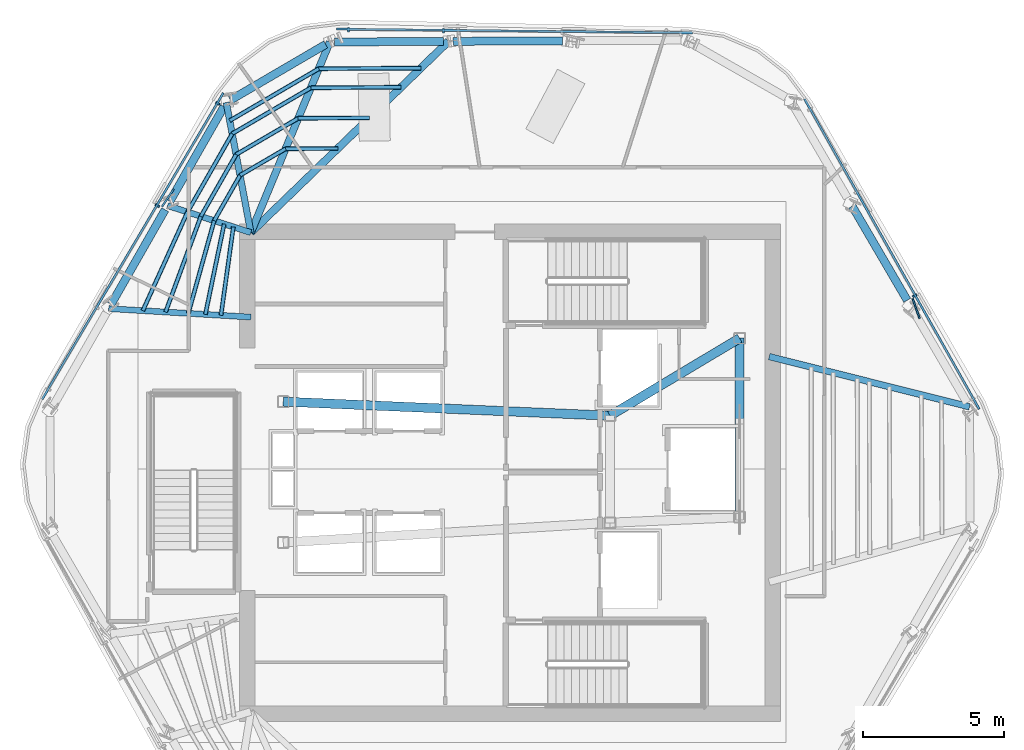
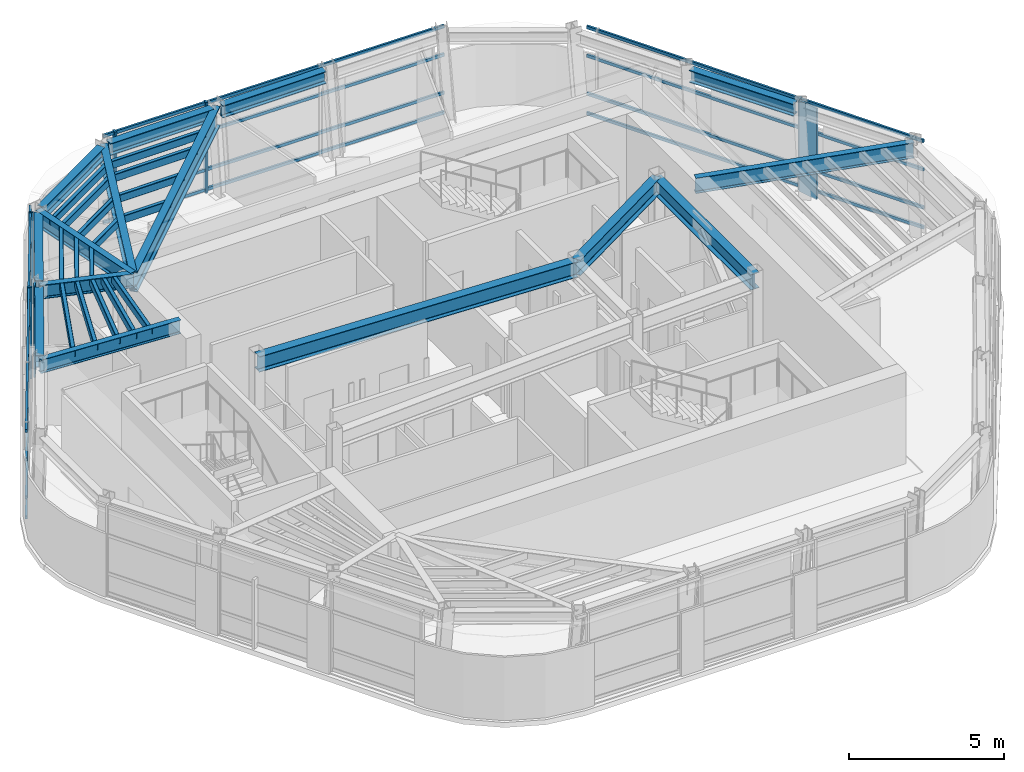
# One storey, part 4 of 13: 35 members, 15 beams, 3 elements without a shape of their own.
"""IFC4 building model written with IfcOpenShell, lengths in metres."""

from ifc_helpers import new_model, si_unit, direction, frame, origin, origin_2d, place, context, subcontext, project, spatial, rectangle, hollow_rectangle, i_section, extrude, material, layer, layer_set, material_profile, profile_set, type_object, element, aggregate, save


model = new_model("IFC4")

# Units and contexts
model_context = context("Model", 3, precision=1e-05, world=origin(), true_north=direction((0.0, 1.0)))
body_context = subcontext(model_context, "Body", "Model", "MODEL_VIEW")
ifc_project = project(units=[si_unit("LENGTHUNIT", "METRE"), si_unit("AREAUNIT", "SQUARE_METRE"), si_unit("VOLUMEUNIT", "CUBIC_METRE"), si_unit("PLANEANGLEUNIT", "RADIAN"), si_unit("MASSUNIT", "GRAM", prefix="KILO")], contexts=[model_context])

# Site, building, storey
site_placement = place(None, origin())
site = spatial("IfcSite", under=ifc_project, at=site_placement, CompositionType="ELEMENT")
building_placement = place(site_placement, origin())
building = spatial("IfcBuilding", under=site, at=building_placement, Name="Valkerne Bourse Tower", CompositionType="ELEMENT")
storey_placement = place(building_placement, frame((0.0, 0.0, 281.199951171875)))
storey = spatial("IfcBuildingStorey", under=building, at=storey_placement, Name="L71", CompositionType="ELEMENT", Elevation=281.199951171875)

# Beams
ifc_material_1 = material(Name="Steel ASTM A992", Category="steel")
ifc_material_profile_1 = material_profile(ifc_material_1, i_section(OverallWidth=0.284423828125, OverallDepth=0.47509765625, WebThickness=0.014892578125, FlangeThickness=0.02392578125, FilletRadius=0.017822265625, at=origin_2d()), Name="W18X106")
ifc_profile_set_1 = profile_set([ifc_material_profile_1], Name="Steel ASTM A992")
beam_type_1 = type_object("IfcBeamType", Name="BM-W18X106", PredefinedType="BEAM", material=ifc_profile_set_1)
beam_1_placement = place(storey_placement, frame((48.656494140625, 42.208740234375, 3.362548828125), z_axis=(-0.999986306612, -0.005233219637, 0.0), x_axis=(0.005233219637, -0.999986306612, 0.0)))
element("IfcBeam", 1, at=beam_1_placement, inside=storey, type_object=beam_type_1, Name="L71 Hexagonal Spandrel Ring Beam 01", PredefinedType="BEAM", context=body_context, shape_type="SweptSolid", body=[
    extrude(i_section(OverallWidth=0.284423828125, OverallDepth=0.47509765625, WebThickness=0.014892578125, FlangeThickness=0.02392578125, FilletRadius=0.017822265625, at=origin_2d()), origin(), (0.0, 0.0, 1.0), 3.8720703125),
])
beam_2_placement = place(storey_placement, frame((44.4443359375, 42.1865234375, 3.362548828125), z_axis=(-0.999986632894, -0.005170496494, 0.0), x_axis=(0.005170496494, -0.999986632894, 0.0)))
element("IfcBeam", 2, at=beam_2_placement, inside=storey, type_object=beam_type_1, Name="L71 Hexagonal Spandrel Ring Beam 02", PredefinedType="BEAM", context=body_context, shape_type="SweptSolid", body=[
    extrude(i_section(OverallWidth=0.284423828125, OverallDepth=0.47509765625, WebThickness=0.014892578125, FlangeThickness=0.02392578125, FilletRadius=0.017822265625, at=origin_2d()), origin(), (0.0, 0.0, 1.0), 3.871826171875),
])
beam_3_placement = place(storey_placement, frame((40.255615234375, 42.07958984375, 3.362548828125), z_axis=(-0.863410040535, -0.504502826458, 0.0), x_axis=(0.504502826458, -0.863410040535, 0.0)))
element("IfcBeam", 3, at=beam_3_placement, inside=storey, type_object=beam_type_1, Name="L71 Hexagonal Spandrel Ring Beam 03", PredefinedType="BEAM", context=body_context, shape_type="SweptSolid", body=[
    extrude(i_section(OverallWidth=0.284423828125, OverallDepth=0.47509765625, WebThickness=0.014892578125, FlangeThickness=0.02392578125, FilletRadius=0.017822265625, at=origin_2d()), origin(), (0.0, 0.0, 1.0), 3.91552734375),
])
for number, where, z_axis, x_axis, name in (
    (4, (36.64404296875, 39.87060546875, 3.362548828125), (-0.495473337127, -0.868623147399, 0.0), (0.868623147399, -0.495473337127, 0.0), "L71 Hexagonal Spandrel Ring Beam 04"),
    (5, (34.55712890625, 36.2119140625, 3.362548828125), (-0.495473337127, -0.868623147399, 0.0), (0.868623147399, -0.495473337127, 0.0), "L71 Hexagonal Spandrel Ring Beam 05"),
    (6, (60.8994140625, 32.99658203125, 3.362548828125), (-0.50454909697, 0.86338300235, 0.0), (-0.86338300235, -0.50454909697, 0.0), "L71 Hexagonal Spandrel Ring Beam 21"),
):
    element("IfcBeam", number, at=place(storey_placement, frame(where, z_axis=z_axis, x_axis=x_axis)), inside=storey, type_object=beam_type_1, Name=name, PredefinedType="BEAM", context=body_context, shape_type="SweptSolid", body=[
        extrude(i_section(OverallWidth=0.284423828125, OverallDepth=0.47509765625, WebThickness=0.014892578125, FlangeThickness=0.02392578125, FilletRadius=0.017822265625, at=origin_2d()), origin(), (0.0, 0.0, 1.0), 3.8720703125),
    ])
ifc_material_profile_2 = material_profile(ifc_material_1, i_section(OverallWidth=0.209228515625, OverallDepth=0.533447265625, WebThickness=0.01025390625, FlangeThickness=0.015625, FilletRadius=0.017822265625, at=origin_2d()), Name="W21X62")
ifc_profile_set_2 = profile_set([ifc_material_profile_2], Name="Steel ASTM A992")
beam_type_2 = type_object("IfcBeamType", Name="BM-W21X62", PredefinedType="JOIST", material=ifc_profile_set_2)
beam_4_placement = place(storey_placement, frame((32.554443359375, 32.700927734375, 3.333251953125), z_axis=(0.998225059457, -0.059554434524, 0.0), x_axis=(0.059554434524, 0.998225059457, 0.0)))
element("IfcBeam", 7, at=beam_4_placement, inside=storey, type_object=beam_type_2, Name="L71 Radial Composite Floor Beam 06", PredefinedType="JOIST", context=body_context, shape_type="SweptSolid", body=[
    extrude(i_section(OverallWidth=0.209228515625, OverallDepth=0.533447265625, WebThickness=0.01025390625, FlangeThickness=0.015625, FilletRadius=0.017822265625, at=origin_2d()), origin(), (0.0, 0.0, 1.0), 5.0546875),
])
ifc_material_profile_3 = material_profile(ifc_material_1, i_section(OverallWidth=0.2138671875, OverallDepth=0.548583984375, WebThickness=0.0146484375, FlangeThickness=0.023681640625, FilletRadius=0.017822265625, at=origin_2d()), Name="W21X93")
ifc_profile_set_3 = profile_set([ifc_material_profile_3], Name="Steel ASTM A992")
beam_type_3 = type_object("IfcBeamType", Name="BM-W21X93", PredefinedType="BEAM", material=ifc_profile_set_3)
beam_5_placement = place(storey_placement, frame((34.641357421875, 36.359619140625, 3.32568359375), z_axis=(0.951210990395, -0.30854116703, 0.0), x_axis=(0.30854116703, 0.951210990395, 0.0)))
element("IfcBeam", 8, at=beam_5_placement, inside=storey, type_object=beam_type_3, Name="L71 Radial Composite Floor Beam 05", PredefinedType="BEAM", context=body_context, shape_type="SweptSolid", body=[
    extrude(i_section(OverallWidth=0.2138671875, OverallDepth=0.548583984375, WebThickness=0.0146484375, FlangeThickness=0.023681640625, FilletRadius=0.017822265625, at=origin_2d()), origin(), (0.0, 0.0, 1.0), 3.110595703125),
])
ifc_material_profile_4 = material_profile(ifc_material_1, i_section(OverallWidth=0.3251953125, OverallDepth=0.612060546875, WebThickness=0.0126953125, FlangeThickness=0.01904296875, FilletRadius=0.020263671875, at=origin_2d()), Name="W24X104")
ifc_profile_set_4 = profile_set([ifc_material_profile_4], Name="Steel ASTM A992")
beam_type_4 = type_object("IfcBeamType", Name="BM-W24X104", PredefinedType="BEAM", material=ifc_profile_set_4)
beam_6_placement = place(storey_placement, frame((50.35009765625, 28.89990234375, 3.2939453125), z_axis=(0.858307823492, 0.513135148019, 0.0), x_axis=(-0.513135148019, 0.858307823492, 0.0)))
element("IfcBeam", 9, at=beam_6_placement, inside=storey, type_object=beam_type_4, Name="L71 Core Frame Girder CG-NE", PredefinedType="BEAM", context=body_context, shape_type="SweptSolid", body=[
    extrude(i_section(OverallWidth=0.3251953125, OverallDepth=0.612060546875, WebThickness=0.0126953125, FlangeThickness=0.01904296875, FilletRadius=0.020263671875, at=origin_2d()), origin(), (0.0, 0.0, 1.0), 5.359130859375),
])
beam_7_placement = place(storey_placement, frame((54.949951171875, 25.300048828125, 3.2939453125), z_axis=(0.0, 1.0, 0.0), x_axis=(-1.0, 0.0, 0.0)))
element("IfcBeam", 10, at=beam_7_placement, inside=storey, type_object=beam_type_4, Name="L71 Core Frame Girder CG-EE", PredefinedType="BEAM", context=body_context, shape_type="SweptSolid", body=[
    extrude(i_section(OverallWidth=0.3251953125, OverallDepth=0.612060546875, WebThickness=0.0126953125, FlangeThickness=0.01904296875, FilletRadius=0.020263671875, at=origin_2d()), origin(), (0.0, 0.0, 1.0), 6.349853515625),
])
beam_8_placement = place(storey_placement, frame((38.75, 29.39990234375, 3.2939453125), z_axis=(0.999072354402, -0.043063101019, 0.0), x_axis=(0.043063101019, 0.999072354402, 0.0)))
element("IfcBeam", 11, at=beam_8_placement, inside=storey, type_object=beam_type_4, Name="L71 Core Frame Girder CG-NW", PredefinedType="BEAM", context=body_context, shape_type="SweptSolid", body=[
    extrude(i_section(OverallWidth=0.3251953125, OverallDepth=0.612060546875, WebThickness=0.0126953125, FlangeThickness=0.01904296875, FilletRadius=0.020263671875, at=origin_2d()), origin(), (0.0, 0.0, 1.0), 11.61083984375),
])
ifc_material_profile_5 = material_profile(ifc_material_1, i_section(OverallWidth=0.228271484375, OverallDepth=0.607177734375, WebThickness=0.01123046875, FlangeThickness=0.017333984375, FilletRadius=0.017822265625, at=origin_2d()), Name="W24X76")
ifc_profile_set_5 = profile_set([ifc_material_profile_5], Name="Steel ASTM A992")
beam_type_5 = type_object("IfcBeamType", Name="BM-W24X76", PredefinedType="JOIST", material=ifc_profile_set_5)
beam_9_placement = place(storey_placement, frame((36.728271484375, 40.018310546875, 3.296630859375), z_axis=(0.185495874023, -0.982645043096, 0.0), x_axis=(0.982645043096, 0.185495874023, 0.0)))
element("IfcBeam", 12, at=beam_9_placement, inside=storey, type_object=beam_type_5, Name="L71 Radial Composite Floor Beam 04", PredefinedType="JOIST", context=body_context, shape_type="SweptSolid", body=[
    extrude(i_section(OverallWidth=0.228271484375, OverallDepth=0.607177734375, WebThickness=0.01123046875, FlangeThickness=0.017333984375, FilletRadius=0.017822265625, at=origin_2d()), origin(), (0.0, 0.0, 1.0), 4.699951171875),
])
beam_10_placement = place(storey_placement, frame((63.110107421875, 29.21337890625, 3.296630859375), z_axis=(-0.969849916651, 0.243702973253, 0.0), x_axis=(-0.243702973253, -0.969849916651, 0.0)))
element("IfcBeam", 13, at=beam_10_placement, inside=storey, type_object=beam_type_5, Name="L71 Radial Composite Floor Beam 20", PredefinedType="JOIST", context=body_context, shape_type="SweptSolid", body=[
    extrude(i_section(OverallWidth=0.228271484375, OverallDepth=0.607177734375, WebThickness=0.01123046875, FlangeThickness=0.017333984375, FilletRadius=0.017822265625, at=origin_2d()), origin(), (0.0, 0.0, 1.0), 7.3310546875),
])
ifc_material_profile_6 = material_profile(ifc_material_1, i_section(OverallWidth=0.255859375, OverallDepth=0.693359375, WebThickness=0.014404296875, FlangeThickness=0.023681640625, FilletRadius=0.02294921875, at=origin_2d()), Name="W27X114")
ifc_profile_set_6 = profile_set([ifc_material_profile_6], Name="Steel ASTM A992")
beam_type_6 = type_object("IfcBeamType", Name="BM-W27X114", PredefinedType="BEAM", material=ifc_profile_set_6)
beam_11_placement = place(storey_placement, frame((40.402587890625, 42.16552734375, 3.25341796875), z_axis=(-0.382692360741, -0.923875834206, 0.0), x_axis=(0.923875834206, -0.382692360741, 0.0)))
element("IfcBeam", 14, at=beam_11_placement, inside=storey, type_object=beam_type_6, Name="L71 Radial Composite Floor Beam 03", PredefinedType="BEAM", context=body_context, shape_type="SweptSolid", body=[
    extrude(i_section(OverallWidth=0.255859375, OverallDepth=0.693359375, WebThickness=0.014404296875, FlangeThickness=0.023681640625, FilletRadius=0.02294921875, at=origin_2d()), origin(), (0.0, 0.0, 1.0), 7.322998046875),
])
ifc_material_profile_7 = material_profile(ifc_material_1, i_section(OverallWidth=0.26806640625, OverallDepth=0.76953125, WebThickness=0.015625, FlangeThickness=0.025390625, FilletRadius=0.025390625, at=origin_2d()), Name="W30X132")
ifc_profile_set_7 = profile_set([ifc_material_profile_7], Name="Steel ASTM A992")
beam_type_7 = type_object("IfcBeamType", Name="BM-W30X132", PredefinedType="BEAM", material=ifc_profile_set_7)
beam_12_placement = place(storey_placement, frame((44.614501953125, 42.1875, 3.21533203125), z_axis=(-0.718629559357, -0.695393094888, 0.0), x_axis=(0.695393094888, -0.718629559357, 0.0)))
element("IfcBeam", 15, at=beam_12_placement, inside=storey, type_object=beam_type_7, Name="L71 Radial Composite Floor Beam 02", PredefinedType="BEAM", context=body_context, shape_type="SweptSolid", body=[
    extrude(i_section(OverallWidth=0.26806640625, OverallDepth=0.76953125, WebThickness=0.015625, FlangeThickness=0.025390625, FilletRadius=0.025390625, at=origin_2d()), origin(), (0.0, 0.0, 1.0), 9.7607421875),
])

# Curtain wall, members
ifc_material_2 = material(Name="Aluminium AA 6063-T6", Category="aluminium")
ifc_layer = layer(ifc_material_2, 0.2451171875)
ifc_layer_set = layer_set([ifc_layer], Name="Aluminium AA 6063-T6")
curtain_wall_type = type_object("IfcCurtainWallType", Name="CW-05", PredefinedType="NOTDEFINED", material=ifc_layer_set)
curtain_wall_1_placement = place(storey_placement, origin())
curtain_wall_1 = element("IfcCurtainWall", 16, at=curtain_wall_1_placement, inside=storey, type_object=curtain_wall_type, Name="L71 Hexagonal Stick Curtain Wall Face 1", PredefinedType="NOTDEFINED")
ifc_material_profile_8 = material_profile(ifc_material_2, rectangle(XDim=0.074951171875, YDim=0.159912109375, at=origin_2d()), Name="CWM-75X160")
ifc_profile_set_8 = profile_set([ifc_material_profile_8], Name="Aluminium AA 6063-T6")
member_type_1 = type_object("IfcMemberType", Name="CW-MUL-160X75", PredefinedType="MULLION", material=ifc_profile_set_8)
member_1_placement = place(storey_placement, frame((44.43701171875, 42.564453125, 0.0), z_axis=(0.0, 0.0, 1.0), x_axis=(-0.999945187956, 0.010470008742, 0.0)))
member_1 = element("IfcMember", 17, at=member_1_placement, type_object=member_type_1, Name="CW-L71-F1 Jamb Mullion 02A", PredefinedType="MULLION", context=body_context, shape_type="SweptSolid", body=[
    extrude(rectangle(XDim=0.074951171875, YDim=0.159912109375, at=origin_2d()), origin(), (0.0, 0.0, 1.0), 3.60009765625),
])
member_2_placement = place(storey_placement, frame((41.06494140625, 42.599609375, 0.0), z_axis=(0.0, 0.0, 1.0), x_axis=(-0.999945187956, 0.010470008742, 0.0)))
member_2 = element("IfcMember", 18, at=member_2_placement, type_object=member_type_1, Name="CW-L71-F1 Jamb Mullion 02B", PredefinedType="MULLION", context=body_context, shape_type="SweptSolid", body=[
    extrude(rectangle(XDim=0.074951171875, YDim=0.159912109375, at=origin_2d()), origin(), (0.0, 0.0, 1.0), 3.60009765625),
])

curtain_wall_2_placement = place(storey_placement, origin())
curtain_wall_2 = element("IfcCurtainWall", 19, at=curtain_wall_2_placement, inside=storey, type_object=curtain_wall_type, Name="L71 Hexagonal Stick Curtain Wall Face 2", PredefinedType="NOTDEFINED")
member_3_placement = place(storey_placement, frame((36.427490234375, 39.986572265625, 0.0), z_axis=(0.0, 0.0, 1.0), x_axis=(-0.509038826061, -0.860743558537, 0.0)))
member_3 = element("IfcMember", 20, at=member_3_placement, type_object=member_type_1, Name="CW-L71-F2 Jamb Mullion 00A", PredefinedType="MULLION", context=body_context, shape_type="SweptSolid", body=[
    extrude(rectangle(XDim=0.074951171875, YDim=0.159912109375, at=origin_2d()), origin(), (0.0, 0.0, 1.0), 3.60009765625),
])
member_4_placement = place(storey_placement, frame((34.283447265625, 36.361083984375, 0.0), z_axis=(0.0, 0.0, 1.0), x_axis=(-0.509031638635, -0.860747809099, 0.0)))
member_4 = element("IfcMember", 21, at=member_4_placement, type_object=member_type_1, Name="CW-L71-F2 Jamb Mullion 01A", PredefinedType="MULLION", context=body_context, shape_type="SweptSolid", body=[
    extrude(rectangle(XDim=0.074951171875, YDim=0.159912109375, at=origin_2d()), origin(), (0.0, 0.0, 1.0), 3.60009765625),
])

# Curtain wall, member
curtain_wall_3_placement = place(storey_placement, origin())
curtain_wall_3 = element("IfcCurtainWall", 22, at=curtain_wall_3_placement, inside=storey, type_object=curtain_wall_type, Name="L71 Hexagonal Stick Curtain Wall Face 6", PredefinedType="NOTDEFINED")
member_5_placement = place(storey_placement, frame((61.165283203125, 33.1591796875, 0.0), z_axis=(0.0, 0.0, 1.0), x_axis=(-0.490901350772, 0.871215165049, 0.0)))
member_5 = element("IfcMember", 23, at=member_5_placement, type_object=member_type_1, Name="CW-L71-F6 Jamb Mullion 01A", PredefinedType="MULLION", context=body_context, shape_type="SweptSolid", body=[
    extrude(rectangle(XDim=0.074951171875, YDim=0.159912109375, at=origin_2d()), origin(), (0.0, 0.0, 1.0), 3.60009765625),
])

# Member
ifc_material_profile_9 = material_profile(ifc_material_2, rectangle(XDim=0.074951171875, YDim=0.1201171875, at=origin_2d()), Name="CWT-75X120")
ifc_profile_set_9 = profile_set([ifc_material_profile_9], Name="Aluminium AA 6063-T6")
member_type_2 = type_object("IfcMemberType", Name="CW-TRN-120X75", PredefinedType="USERDEFINED", material=ifc_profile_set_9)
member_6_placement = place(storey_placement, frame((53.280517578125, 42.49169921875, 0.1201171875), z_axis=(-0.999945166621, 0.010472046225, 0.0), x_axis=(-0.010472046225, -0.999945166621, 0.0)))
member_6 = element("IfcMember", 24, at=member_6_placement, type_object=member_type_2, Name="CW-L71-F1 Continuous Face Transom 1", ObjectType="TRANSOM", PredefinedType="USERDEFINED", context=body_context, shape_type="SweptSolid", body=[
    extrude(rectangle(XDim=0.074951171875, YDim=0.1201171875, at=origin_2d()), origin(), (0.0, 0.0, 1.0), 12.635986328125),
])

member_7_placement = place(storey_placement, frame((53.280517578125, 42.49169921875, 0.900146484375), z_axis=(-0.999945166621, 0.010472046225, 0.0), x_axis=(-0.010472046225, -0.999945166621, 0.0)))
member_7 = element("IfcMember", 25, at=member_7_placement, type_object=member_type_2, Name="CW-L71-F1 Continuous Face Transom 2", ObjectType="TRANSOM", PredefinedType="USERDEFINED", context=body_context, shape_type="SweptSolid", body=[
    extrude(rectangle(XDim=0.074951171875, YDim=0.1201171875, at=origin_2d()), origin(), (0.0, 0.0, 1.0), 12.635986328125),
])

member_8_placement = place(storey_placement, frame((53.280517578125, 42.49169921875, 2.400146484375), z_axis=(-0.999945166621, 0.010472046225, 0.0), x_axis=(-0.010472046225, -0.999945166621, 0.0)))
member_8 = element("IfcMember", 26, at=member_8_placement, type_object=member_type_2, Name="CW-L71-F1 Continuous Face Transom 3", ObjectType="TRANSOM", PredefinedType="USERDEFINED", context=body_context, shape_type="SweptSolid", body=[
    extrude(rectangle(XDim=0.074951171875, YDim=0.1201171875, at=origin_2d()), origin(), (0.0, 0.0, 1.0), 12.635986328125),
])

member_9_placement = place(storey_placement, frame((53.280517578125, 42.49169921875, 3.52001953125), z_axis=(-0.999945166621, 0.010472046225, 0.0), x_axis=(-0.010472046225, -0.999945166621, 0.0)))
member_9 = element("IfcMember", 27, at=member_9_placement, type_object=member_type_2, Name="CW-L71-F1 Continuous Face Transom 4", ObjectType="TRANSOM", PredefinedType="USERDEFINED", context=body_context, shape_type="SweptSolid", body=[
    extrude(rectangle(XDim=0.074951171875, YDim=0.1201171875, at=origin_2d()), origin(), (0.0, 0.0, 1.0), 12.635986328125),
])

aggregate(curtain_wall_1, [member_6, member_7, member_8, member_9, member_1, member_2])

member_10_placement = place(storey_placement, frame((36.6240234375, 40.3583984375, 0.1201171875), z_axis=(-0.50903001346, -0.860748770198, 0.0), x_axis=(0.860748770198, -0.50903001346, 0.0)))
member_10 = element("IfcMember", 28, at=member_10_placement, type_object=member_type_2, Name="CW-L71-F2 Continuous Face Transom 1", ObjectType="TRANSOM", PredefinedType="USERDEFINED", context=body_context, shape_type="SweptSolid", body=[
    extrude(rectangle(XDim=0.074951171875, YDim=0.1201171875, at=origin_2d()), origin(), (0.0, 0.0, 1.0), 12.635986328125),
])

member_11_placement = place(storey_placement, frame((36.6240234375, 40.3583984375, 0.900146484375), z_axis=(-0.50903001346, -0.860748770198, 0.0), x_axis=(0.860748770198, -0.50903001346, 0.0)))
member_11 = element("IfcMember", 29, at=member_11_placement, type_object=member_type_2, Name="CW-L71-F2 Continuous Face Transom 2", ObjectType="TRANSOM", PredefinedType="USERDEFINED", context=body_context, shape_type="SweptSolid", body=[
    extrude(rectangle(XDim=0.074951171875, YDim=0.1201171875, at=origin_2d()), origin(), (0.0, 0.0, 1.0), 12.635986328125),
])

member_12_placement = place(storey_placement, frame((36.6240234375, 40.3583984375, 2.400146484375), z_axis=(-0.50903001346, -0.860748770198, 0.0), x_axis=(0.860748770198, -0.50903001346, 0.0)))
member_12 = element("IfcMember", 30, at=member_12_placement, type_object=member_type_2, Name="CW-L71-F2 Continuous Face Transom 3", ObjectType="TRANSOM", PredefinedType="USERDEFINED", context=body_context, shape_type="SweptSolid", body=[
    extrude(rectangle(XDim=0.074951171875, YDim=0.1201171875, at=origin_2d()), origin(), (0.0, 0.0, 1.0), 12.635986328125),
])

member_13_placement = place(storey_placement, frame((36.6240234375, 40.3583984375, 3.52001953125), z_axis=(-0.50903001346, -0.860748770198, 0.0), x_axis=(0.860748770198, -0.50903001346, 0.0)))
member_13 = element("IfcMember", 31, at=member_13_placement, type_object=member_type_2, Name="CW-L71-F2 Continuous Face Transom 4", ObjectType="TRANSOM", PredefinedType="USERDEFINED", context=body_context, shape_type="SweptSolid", body=[
    extrude(rectangle(XDim=0.074951171875, YDim=0.1201171875, at=origin_2d()), origin(), (0.0, 0.0, 1.0), 12.635986328125),
])

aggregate(curtain_wall_2, [member_10, member_11, member_12, member_13, member_3, member_4])

member_14_placement = place(storey_placement, frame((63.45654296875, 29.133544921875, 0.1201171875), z_axis=(-0.490911485908, 0.871209454152, 0.0), x_axis=(-0.871209454152, -0.490911485908, 0.0)))
member_14 = element("IfcMember", 32, at=member_14_placement, type_object=member_type_2, Name="CW-L71-F6 Continuous Face Transom 1", ObjectType="TRANSOM", PredefinedType="USERDEFINED", context=body_context, shape_type="SweptSolid", body=[
    extrude(rectangle(XDim=0.074951171875, YDim=0.1201171875, at=origin_2d()), origin(), (0.0, 0.0, 1.0), 12.635986328125),
])

member_15_placement = place(storey_placement, frame((63.45654296875, 29.133544921875, 0.900146484375), z_axis=(-0.490911485908, 0.871209454152, 0.0), x_axis=(-0.871209454152, -0.490911485908, 0.0)))
member_15 = element("IfcMember", 33, at=member_15_placement, type_object=member_type_2, Name="CW-L71-F6 Continuous Face Transom 2", ObjectType="TRANSOM", PredefinedType="USERDEFINED", context=body_context, shape_type="SweptSolid", body=[
    extrude(rectangle(XDim=0.074951171875, YDim=0.1201171875, at=origin_2d()), origin(), (0.0, 0.0, 1.0), 12.635986328125),
])

member_16_placement = place(storey_placement, frame((63.45654296875, 29.133544921875, 2.400146484375), z_axis=(-0.490911485908, 0.871209454152, 0.0), x_axis=(-0.871209454152, -0.490911485908, 0.0)))
member_16 = element("IfcMember", 34, at=member_16_placement, type_object=member_type_2, Name="CW-L71-F6 Continuous Face Transom 3", ObjectType="TRANSOM", PredefinedType="USERDEFINED", context=body_context, shape_type="SweptSolid", body=[
    extrude(rectangle(XDim=0.074951171875, YDim=0.1201171875, at=origin_2d()), origin(), (0.0, 0.0, 1.0), 12.635986328125),
])

member_17_placement = place(storey_placement, frame((63.45654296875, 29.133544921875, 3.52001953125), z_axis=(-0.490911485908, 0.871209454152, 0.0), x_axis=(-0.871209454152, -0.490911485908, 0.0)))
member_17 = element("IfcMember", 35, at=member_17_placement, type_object=member_type_2, Name="CW-L71-F6 Continuous Face Transom 4", ObjectType="TRANSOM", PredefinedType="USERDEFINED", context=body_context, shape_type="SweptSolid", body=[
    extrude(rectangle(XDim=0.074951171875, YDim=0.1201171875, at=origin_2d()), origin(), (0.0, 0.0, 1.0), 12.635986328125),
])

aggregate(curtain_wall_3, [member_14, member_15, member_16, member_17, member_5])

# Members
ifc_material_3 = material(Name="Bronze Anodised Aluminium AA 6063-T6", Category="aluminium")
ifc_material_profile_10 = material_profile(ifc_material_3, rectangle(XDim=0.06494140625, YDim=0.75, at=origin_2d()), Name="FIN-65X750")
ifc_profile_set_10 = profile_set([ifc_material_profile_10], Name="Bronze Anodised Aluminium AA 6063-T6")
member_type_3 = type_object("IfcMemberType", Name="FIN-SOLAR-650", PredefinedType="USERDEFINED", material=ifc_profile_set_10)
for number, where, z_axis, x_axis, name in (
    (36, (34.652099609375, 36.630859375, 0.004150390625), (0.0, 0.0, 1.0), (-0.828941864883, 0.559334769744, 0.0), "L71 Bronze Anodised Solar Fin F2-01"),
    (37, (61.214599609375, 32.704833984375, 0.004150390625), (0.0, 0.0, 1.0), (0.943534711377, 0.331273676024, 0.0), "L71 Bronze Anodised Solar Fin F6-01"),
):
    element("IfcMember", number, at=place(storey_placement, frame(where, z_axis=z_axis, x_axis=x_axis)), inside=storey, type_object=member_type_3, Name=name, ObjectType="SOLAR_FIN", PredefinedType="USERDEFINED", context=body_context, shape_type="SweptSolid", body=[
        extrude(rectangle(XDim=0.06494140625, YDim=0.75, at=origin_2d()), origin(), (0.0, 0.0, 1.0), 3.591796875),
    ])
ifc_material_4 = material(Name="Steel ASTM A500 Grade C", Category="steel")
ifc_material_profile_11 = material_profile(ifc_material_4, hollow_rectangle(XDim=0.14990234375, YDim=0.300048828125, WallThickness=0.012451171875, OuterFilletRadius=0.02490234375, at=origin_2d()), Name="HSS300X150X12.5")
ifc_profile_set_11 = profile_set([ifc_material_profile_11], Name="Steel ASTM A500 Grade C")
member_type_4 = type_object("IfcMemberType", Name="MBR-HSS300X150X12.5", PredefinedType="PURLIN", material=ifc_profile_set_11)
member_18_placement = place(storey_placement, frame((36.6533203125, 35.70703125, 3.43994140625), z_axis=(-0.203683714491, -0.979036743157, 0.0), x_axis=(0.979036743157, -0.203683714491, 0.0)))
element("IfcMember", 38, at=member_18_placement, inside=storey, type_object=member_type_4, Name="L71 Secondary Composite Floor Purlin I-05", PredefinedType="PURLIN", context=body_context, shape_type="SweptSolid", body=[
    extrude(hollow_rectangle(XDim=0.14990234375, YDim=0.300048828125, WallThickness=0.012451171875, OuterFilletRadius=0.02490234375, at=origin_2d()), origin(), (0.0, 0.0, 1.0), 3.279541015625),
])
member_19_placement = place(storey_placement, frame((40.686279296875, 38.386474609375, 3.43994140625), z_axis=(-0.999986117012, -0.005269324816, 0.0), x_axis=(0.005269324816, -0.999986117012, 0.0)))
element("IfcMember", 39, at=member_19_placement, inside=storey, type_object=member_type_4, Name="L71 Secondary Composite Floor Purlin K-02", PredefinedType="PURLIN", context=body_context, shape_type="SweptSolid", body=[
    extrude(hollow_rectangle(XDim=0.14990234375, YDim=0.300048828125, WallThickness=0.012451171875, OuterFilletRadius=0.02490234375, at=origin_2d()), origin(), (0.0, 0.0, 1.0), 1.853271484375),
])
member_20_placement = place(storey_placement, frame((38.8330078125, 38.376708984375, 3.43994140625), z_axis=(-0.863428739524, -0.5044708235, 0.0), x_axis=(0.5044708235, -0.863428739524, 0.0)))
element("IfcMember", 40, at=member_20_placement, inside=storey, type_object=member_type_4, Name="L71 Secondary Composite Floor Purlin K-03", PredefinedType="PURLIN", context=body_context, shape_type="SweptSolid", body=[
    extrude(hollow_rectangle(XDim=0.14990234375, YDim=0.300048828125, WallThickness=0.012451171875, OuterFilletRadius=0.02490234375, at=origin_2d()), origin(), (0.0, 0.0, 1.0), 1.872314453125),
])
member_21_placement = place(storey_placement, frame((37.21630859375, 37.43212890625, 3.43994140625), z_axis=(-0.49544364029, -0.868640086167, 0.0), x_axis=(0.868640086167, -0.49544364029, 0.0)))
element("IfcMember", 41, at=member_21_placement, inside=storey, type_object=member_type_4, Name="L71 Secondary Composite Floor Purlin K-04", PredefinedType="PURLIN", context=body_context, shape_type="SweptSolid", body=[
    extrude(hollow_rectangle(XDim=0.14990234375, YDim=0.300048828125, WallThickness=0.012451171875, OuterFilletRadius=0.02490234375, at=origin_2d()), origin(), (0.0, 0.0, 1.0), 1.853271484375),
])
member_22_placement = place(storey_placement, frame((36.298095703125, 35.822265625, 3.43994140625), z_axis=(-0.268834438397, -0.963186401862, 0.0), x_axis=(0.963186401862, -0.268834438397, 0.0)))
element("IfcMember", 42, at=member_22_placement, inside=storey, type_object=member_type_4, Name="L71 Secondary Composite Floor Purlin K-05", PredefinedType="PURLIN", context=body_context, shape_type="SweptSolid", body=[
    extrude(hollow_rectangle(XDim=0.14990234375, YDim=0.300048828125, WallThickness=0.012451171875, OuterFilletRadius=0.02490234375, at=origin_2d()), origin(), (0.0, 0.0, 1.0), 3.41552734375),
])
member_23_placement = place(storey_placement, frame((42.930908203125, 40.55859375, 3.43994140625), z_axis=(-0.999986151985, -0.005262683585, 0.0), x_axis=(0.005262683585, -0.999986151985, 0.0)))
element("IfcMember", 43, at=member_23_placement, inside=storey, type_object=member_type_4, Name="L71 Secondary Composite Floor Purlin O-02", PredefinedType="PURLIN", context=body_context, shape_type="SweptSolid", body=[
    extrude(hollow_rectangle(XDim=0.14990234375, YDim=0.300048828125, WallThickness=0.012451171875, OuterFilletRadius=0.02490234375, at=origin_2d()), origin(), (0.0, 0.0, 1.0), 3.200927734375),
])
member_24_placement = place(storey_placement, frame((39.72998046875, 40.541748046875, 3.43994140625), z_axis=(-0.86338987989, -0.504537327958, 0.0), x_axis=(0.504537327958, -0.86338987989, 0.0)))
element("IfcMember", 44, at=member_24_placement, inside=storey, type_object=member_type_4, Name="L71 Secondary Composite Floor Purlin O-03", PredefinedType="PURLIN", context=body_context, shape_type="SweptSolid", body=[
    extrude(hollow_rectangle(XDim=0.14990234375, YDim=0.300048828125, WallThickness=0.012451171875, OuterFilletRadius=0.02490234375, at=origin_2d()), origin(), (0.0, 0.0, 1.0), 3.234375),
])
member_25_placement = place(storey_placement, frame((36.9375, 38.909912109375, 3.43994140625), z_axis=(-0.495506377718, -0.868604299805, 0.0), x_axis=(0.868604299805, -0.495506377718, 0.0)))
element("IfcMember", 45, at=member_25_placement, inside=storey, type_object=member_type_4, Name="L71 Secondary Composite Floor Purlin O-04", PredefinedType="PURLIN", context=body_context, shape_type="SweptSolid", body=[
    extrude(hollow_rectangle(XDim=0.14990234375, YDim=0.300048828125, WallThickness=0.012451171875, OuterFilletRadius=0.02490234375, at=origin_2d()), origin(), (0.0, 0.0, 1.0), 3.201171875),
])
member_26_placement = place(storey_placement, frame((35.351318359375, 36.12939453125, 3.43994140625), z_axis=(-0.412682610969, -0.910874888557, 0.0), x_axis=(0.910874888557, -0.412682610969, 0.0)))
element("IfcMember", 46, at=member_26_placement, inside=storey, type_object=member_type_4, Name="L71 Secondary Composite Floor Purlin O-05", PredefinedType="PURLIN", context=body_context, shape_type="SweptSolid", body=[
    extrude(hollow_rectangle(XDim=0.14990234375, YDim=0.300048828125, WallThickness=0.012451171875, OuterFilletRadius=0.02490234375, at=origin_2d()), origin(), (0.0, 0.0, 1.0), 3.843017578125),
])
member_27_placement = place(storey_placement, frame((41.80859375, 39.472412109375, 3.43994140625), z_axis=(-0.999986392321, -0.005216816268, 0.0), x_axis=(0.005216816268, -0.999986392321, 0.0)))
element("IfcMember", 47, at=member_27_placement, inside=storey, type_object=member_type_4, Name="L71 Secondary Composite Floor Purlin Z-02", PredefinedType="PURLIN", context=body_context, shape_type="SweptSolid", body=[
    extrude(hollow_rectangle(XDim=0.14990234375, YDim=0.300048828125, WallThickness=0.012451171875, OuterFilletRadius=0.02490234375, at=origin_2d()), origin(), (0.0, 0.0, 1.0), 2.527099609375),
])
member_28_placement = place(storey_placement, frame((39.281494140625, 39.459228515625, 3.43994140625), z_axis=(-0.863383303484, -0.50454858167, 0.0), x_axis=(0.50454858167, -0.863383303484, 0.0)))
element("IfcMember", 48, at=member_28_placement, inside=storey, type_object=member_type_4, Name="L71 Secondary Composite Floor Purlin Z-03", PredefinedType="PURLIN", context=body_context, shape_type="SweptSolid", body=[
    extrude(hollow_rectangle(XDim=0.14990234375, YDim=0.300048828125, WallThickness=0.012451171875, OuterFilletRadius=0.02490234375, at=origin_2d()), origin(), (0.0, 0.0, 1.0), 2.553466796875),
])
member_29_placement = place(storey_placement, frame((37.076904296875, 38.1708984375, 3.43994140625), z_axis=(-0.495504163353, -0.868605563015, 0.0), x_axis=(0.868605563015, -0.495504163353, 0.0)))
element("IfcMember", 49, at=member_29_placement, inside=storey, type_object=member_type_4, Name="L71 Secondary Composite Floor Purlin Z-04", PredefinedType="PURLIN", context=body_context, shape_type="SweptSolid", body=[
    extrude(hollow_rectangle(XDim=0.14990234375, YDim=0.300048828125, WallThickness=0.012451171875, OuterFilletRadius=0.02490234375, at=origin_2d()), origin(), (0.0, 0.0, 1.0), 2.527099609375),
])
member_30_placement = place(storey_placement, frame((35.82470703125, 35.975830078125, 3.43994140625), z_axis=(-0.345964842277, -0.9382474769, 0.0), x_axis=(0.9382474769, -0.345964842277, 0.0)))
element("IfcMember", 50, at=member_30_placement, inside=storey, type_object=member_type_4, Name="L71 Secondary Composite Floor Purlin Z-05", PredefinedType="PURLIN", context=body_context, shape_type="SweptSolid", body=[
    extrude(hollow_rectangle(XDim=0.14990234375, YDim=0.300048828125, WallThickness=0.012451171875, OuterFilletRadius=0.02490234375, at=origin_2d()), origin(), (0.0, 0.0, 1.0), 3.61865234375),
])
member_31_placement = place(storey_placement, frame((36.978759765625, 35.6015625, 3.43994140625), z_axis=(-0.138368261617, -0.990380848046, 0.0), x_axis=(0.990380848046, -0.138368261617, 0.0)))
element("IfcMember", 51, at=member_31_placement, inside=storey, type_object=member_type_4, Name="L71 Secondary Composite Floor Purlin S-05", PredefinedType="PURLIN", context=body_context, shape_type="SweptSolid", body=[
    extrude(hollow_rectangle(XDim=0.14990234375, YDim=0.300048828125, WallThickness=0.012451171875, OuterFilletRadius=0.02490234375, at=origin_2d()), origin(), (0.0, 0.0, 1.0), 3.1689453125),
])
member_32_placement = place(storey_placement, frame((43.63232421875, 41.2373046875, 3.43994140625), z_axis=(-0.999986179729, -0.005257409141, 0.0), x_axis=(0.005257409141, -0.999986179729, 0.0)))
element("IfcMember", 52, at=member_32_placement, inside=storey, type_object=member_type_4, Name="L71 Secondary Composite Floor Purlin T-02", PredefinedType="PURLIN", context=body_context, shape_type="SweptSolid", body=[
    extrude(hollow_rectangle(XDim=0.14990234375, YDim=0.300048828125, WallThickness=0.012451171875, OuterFilletRadius=0.02490234375, at=origin_2d()), origin(), (0.0, 0.0, 1.0), 3.6220703125),
])
member_33_placement = place(storey_placement, frame((40.01025390625, 41.21826171875, 3.43994140625), z_axis=(-0.863403644311, -0.504513772845, 0.0), x_axis=(0.504513772845, -0.863403644311, 0.0)))
element("IfcMember", 53, at=member_33_placement, inside=storey, type_object=member_type_4, Name="L71 Secondary Composite Floor Purlin T-03", PredefinedType="PURLIN", context=body_context, shape_type="SweptSolid", body=[
    extrude(hollow_rectangle(XDim=0.14990234375, YDim=0.300048828125, WallThickness=0.012451171875, OuterFilletRadius=0.02490234375, at=origin_2d()), origin(), (0.0, 0.0, 1.0), 3.659912109375),
])

save(model, "model.ifc")
